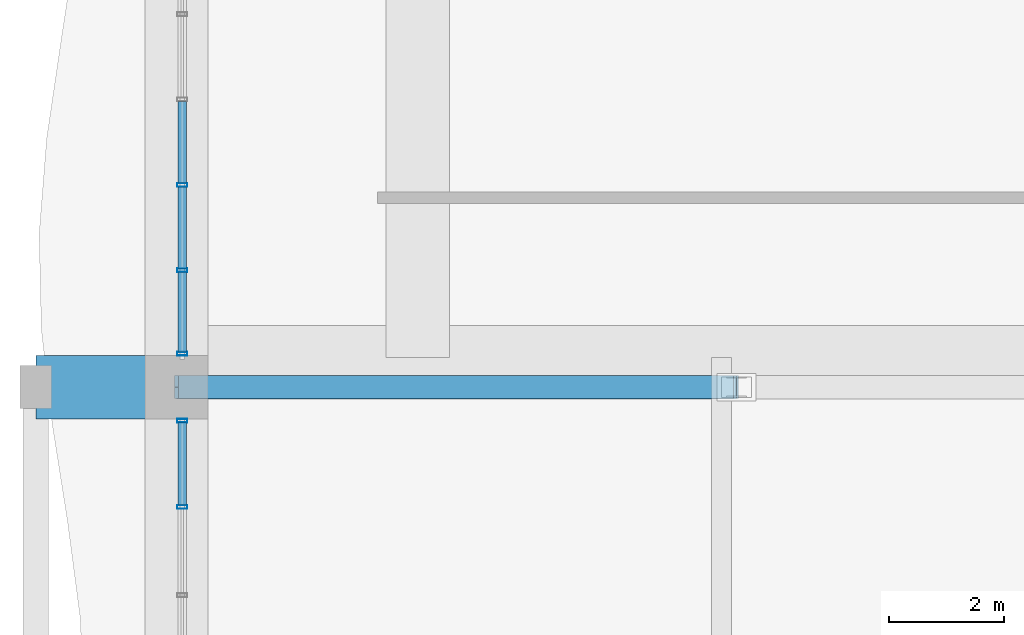
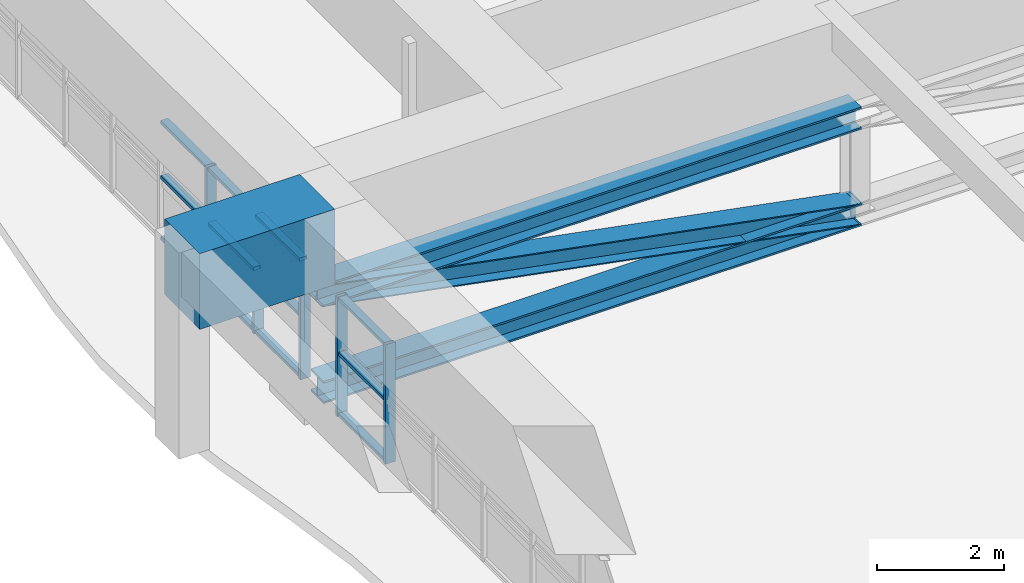
# One storey, part 19 of 35: 20 members, 1 beam, 2 elements without a shape of their own.
"""IFC4 building model written with IfcOpenShell, lengths in metres."""

import ifcopenshell
import ifcopenshell.guid

model = None  # the IFC model being written
_history = None  # IfcOwnerHistory: only IFC2X3 demands one
_inside = {}  # id of a spatial element -> (the spatial element, [elements in it])
_under = {}  # id of a project, library or spatial element -> (it, [spatial elements below it])
_declared = {}  # id of a project -> (the project, [libraries it declares])
_typed = {}  # id of a type object -> (the type object, [elements of that type])
_made_of = {}  # id of a material, layer set ... -> (it, [elements and type objects made of it])


def new_model(schema):
    """Start an empty IFC model of exactly this schema.

    Asked for "IFC4X3", IfcOpenShell would pick the latest addendum, in which some entities
    have other attributes; the version numbers below select the first issue.
    IFC2X3 requires an IfcOwnerHistory on every rooted entity: one is made here for all.
    """
    global model, _history
    if schema == "IFC4X3":
        model = ifcopenshell.file(schema_version=(4, 3, 0, 0))
    else:
        model = ifcopenshell.file(schema=schema)
    _inside.clear()
    _under.clear()
    _declared.clear()
    _typed.clear()
    _made_of.clear()
    _history = None
    if model.schema == "IFC2X3":
        org = make("IfcOrganization", Name="unknown")
        user = make(
            "IfcPersonAndOrganization",
            ThePerson=make("IfcPerson", FamilyName="unknown"),
            TheOrganization=org,
        )
        app = make(
            "IfcApplication",
            ApplicationDeveloper=org,
            Version="unknown",
            ApplicationFullName="unknown",
            ApplicationIdentifier="unknown",
        )
        _history = make(
            "IfcOwnerHistory",
            OwningUser=user,
            OwningApplication=app,
            ChangeAction="ADDED",
            CreationDate=0,
        )
    return model


def make(cls, **values):
    """One entity of the class cls with the attributes given. An attribute that is None is left unset."""
    return model.create_entity(
        cls, **{name: value for name, value in values.items() if value is not None}
    )


def rooted(cls, **values):
    """An entity with a GlobalId (a new one), such as an element, a storey or a relation."""
    return make(cls, GlobalId=ifcopenshell.guid.new(), OwnerHistory=_history, **values)


def si_unit(unit_type, name, prefix=None):
    """IfcSIUnit, for example si_unit("LENGTHUNIT", "METRE", prefix="MILLI")."""
    return make("IfcSIUnit", UnitType=unit_type, Prefix=prefix, Name=name)


def assignment(units):
    """IfcUnitAssignment: the units of a project."""
    return None if units is None else make("IfcUnitAssignment", Units=units)


def point(xyz):
    """IfcCartesianPoint."""
    return None if xyz is None else make("IfcCartesianPoint", Coordinates=xyz)


def direction(xyz):
    """IfcDirection."""
    return None if xyz is None else make("IfcDirection", DirectionRatios=xyz)


def frame(location, z_axis=None, x_axis=None):
    """IfcAxis2Placement3D, a coordinate frame: its origin and axes. An axis left out is left unset."""
    return make(
        "IfcAxis2Placement3D",
        Location=point(location),
        Axis=direction(z_axis),
        RefDirection=direction(x_axis),
    )


def frame_2d(location, x_axis=None):
    """IfcAxis2Placement2D, a coordinate frame in the plane: its origin and x axis."""
    return make(
        "IfcAxis2Placement2D", Location=point(location), RefDirection=direction(x_axis)
    )


def origin():
    """The frame at (0, 0, 0) with its axes left unset."""
    return frame((0.0, 0.0, 0.0))


def origin_2d():
    """The frame at (0, 0) in the plane with its x axis left unset."""
    return frame_2d((0.0, 0.0))


def place(relative_to, where):
    """IfcLocalPlacement: puts the frame where relative to a parent placement (None: the world)."""
    return make(
        "IfcLocalPlacement", PlacementRelTo=relative_to, RelativePlacement=where
    )


def context(
    kind, dimensions, precision=None, world=None, true_north=None, identifier=None
):
    """IfcGeometricRepresentationContext, for example the 3D "Model" context."""
    return make(
        "IfcGeometricRepresentationContext",
        ContextIdentifier=identifier,
        ContextType=kind,
        CoordinateSpaceDimension=dimensions,
        Precision=precision,
        WorldCoordinateSystem=world,
        TrueNorth=true_north,
    )


def subcontext(parent, identifier, kind, view, scale=None):
    """IfcGeometricRepresentationSubContext, for example "Body" below "Model"."""
    return make(
        "IfcGeometricRepresentationSubContext",
        ContextIdentifier=identifier,
        ContextType=kind,
        ParentContext=parent,
        TargetScale=scale,
        TargetView=view,
    )


def project(units=None, contexts=None):
    """IfcProject with its units and contexts."""
    return rooted(
        "IfcProject",
        Name="project",
        RepresentationContexts=contexts,
        UnitsInContext=assignment(units),
    )


def spatial(cls, under=None, at=None, **own):
    """A site, building, storey or space (cls), placed at a placement, below another one or the project."""
    s = rooted(cls, ObjectPlacement=at, **own)
    if under is not None:
        _under.setdefault(under.id(), (under, []))[1].append(s)
    return s


def profile(cls, at=None, kind="AREA", **sizes):
    """A parametric profile (cls). Its sizes go by their IFC names, for example OverallWidth=200.0."""
    return make(cls, ProfileType=kind, Position=at, **sizes)


def rectangle(**sizes):
    """IfcRectangleProfileDef."""
    return profile("IfcRectangleProfileDef", **sizes)


def hollow_rectangle(**sizes):
    """IfcRectangleHollowProfileDef."""
    return profile("IfcRectangleHollowProfileDef", **sizes)


def i_section(**sizes):
    """IfcIShapeProfileDef."""
    return profile("IfcIShapeProfileDef", **sizes)


def extrude(swept, where, along, depth):
    """IfcExtrudedAreaSolid: the profile swept, set in the frame where, extruded along a direction by depth."""
    return make(
        "IfcExtrudedAreaSolid",
        SweptArea=swept,
        Position=where,
        ExtrudedDirection=direction(along),
        Depth=depth,
    )


def shape(context_of_items, identifier, shape_type, items):
    """IfcShapeRepresentation: the items that make up one representation, for example the "Body"."""
    return make(
        "IfcShapeRepresentation",
        ContextOfItems=context_of_items,
        RepresentationIdentifier=identifier,
        RepresentationType=shape_type,
        Items=items,
    )


def source(mapping_origin, context_of_items, identifier, shape_type, items):
    """IfcRepresentationMap: a shape defined once, which mapped items show again and again."""
    return make(
        "IfcRepresentationMap",
        MappingOrigin=mapping_origin,
        MappedRepresentation=shape(context_of_items, identifier, shape_type, items),
    )


def transform(
    local_origin,
    x_axis=None,
    y_axis=None,
    z_axis=None,
    scale=None,
    scale2=None,
    scale3=None,
    uniform=True,
):
    """IfcCartesianTransformationOperator3D, or its non-uniform kind. x_axis, y_axis, z_axis: its Axis1, 2, 3."""
    if uniform:
        return make(
            "IfcCartesianTransformationOperator3D",
            Axis1=direction(x_axis),
            Axis2=direction(y_axis),
            LocalOrigin=point(local_origin),
            Scale=scale,
            Axis3=direction(z_axis),
        )
    return make(
        "IfcCartesianTransformationOperator3DnonUniform",
        Axis1=direction(x_axis),
        Axis2=direction(y_axis),
        LocalOrigin=point(local_origin),
        Scale=scale,
        Axis3=direction(z_axis),
        Scale2=scale2,
        Scale3=scale3,
    )


def mapped(mapping_source, mapping_target):
    """IfcMappedItem: shows the shape of a source again, moved by a transform."""
    return make(
        "IfcMappedItem", MappingSource=mapping_source, MappingTarget=mapping_target
    )


def material(Name=None, Category=None):
    """IfcMaterial."""
    return make("IfcMaterial", Name=Name, Category=Category)


def layer(
    of_material, thickness, ventilated=None, Name=None, Category=None, Priority=None
):
    """IfcMaterialLayer: one layer of a wall or slab, of a material (None: an air gap)."""
    return make(
        "IfcMaterialLayer",
        Material=of_material,
        LayerThickness=thickness,
        IsVentilated=ventilated,
        Name=Name,
        Category=Category,
        Priority=Priority,
    )


def layer_set(layers, Name=None):
    """IfcMaterialLayerSet."""
    return make("IfcMaterialLayerSet", MaterialLayers=layers, LayerSetName=Name)


def material_profile(
    of_material, cross_section, Name=None, Category=None, Priority=None
):
    """IfcMaterialProfile: a cross section and its material."""
    return make(
        "IfcMaterialProfile",
        Name=Name,
        Material=of_material,
        Profile=cross_section,
        Priority=Priority,
        Category=Category,
    )


def profile_set(profiles, Name=None, composite=None):
    """IfcMaterialProfileSet."""
    return make(
        "IfcMaterialProfileSet",
        Name=Name,
        MaterialProfiles=profiles,
        CompositeProfile=composite,
    )


def made_of(thing, what):
    """Note that an element or type object is made of a material, layer set ...; save() writes the relation."""
    if what is not None:
        _made_of.setdefault(what.id(), (what, []))[1].append(thing)
    return thing


def type_object(cls, material=None, **own):
    """A type object (cls), such as IfcWallType, which elements share."""
    return made_of(rooted(cls, **own), material)


def element(
    cls,
    number,
    at=None,
    inside=None,
    cuts=None,
    type_object=None,
    material=None,
    context=None,
    identifier="Body",
    shape_type=None,
    held_by="IfcProductDefinitionShape",
    body=None,
    shapes=None,
    **own,
):
    """One element of the class cls, such as IfcWall. Its Tag is "e" and its number.

    at: its placement. inside: the storey or other place that contains it. cuts: it is an
    opening in that element (IfcRelVoidsElement). A single representation is given by context,
    identifier, shape_type and body (its items); several are given by shapes. held_by: the class
    of the entity that holds the representations. save() writes the other relations.
    """
    e = rooted(cls, Tag="e%d" % number, ObjectPlacement=at, **own)
    if body is not None:
        shapes = [shape(context, identifier, shape_type, body)]
    if shapes is not None:
        e.Representation = make(held_by, Representations=shapes)
    if inside is not None:
        _inside.setdefault(inside.id(), (inside, []))[1].append(e)
    if cuts is not None:
        rooted(
            "IfcRelVoidsElement", RelatingBuildingElement=cuts, RelatedOpeningElement=e
        )
    if type_object is not None:
        _typed.setdefault(type_object.id(), (type_object, []))[1].append(e)
    return made_of(e, material)


def aggregate(whole, parts):
    """IfcRelAggregates: a whole, such as a stair, and the parts it consists of."""
    return rooted("IfcRelAggregates", RelatingObject=whole, RelatedObjects=parts)


def save(model, path):
    """Write the relations noted so far, then the file.

    IfcRelAggregates (storeys below a building ...), IfcRelContainedInSpatialStructure (elements
    in a storey), IfcRelDefinesByType, IfcRelAssociatesMaterial and IfcRelDeclares: one each for
    every whole, place, type object, material and project.
    """
    for whole, parts in _under.values():
        aggregate(whole, parts)
    for where, things in _inside.values():
        rooted(
            "IfcRelContainedInSpatialStructure",
            RelatedElements=things,
            RelatingStructure=where,
        )
    for kind, things in _typed.values():
        rooted("IfcRelDefinesByType", RelatedObjects=things, RelatingType=kind)
    for what, things in _made_of.values():
        rooted("IfcRelAssociatesMaterial", RelatedObjects=things, RelatingMaterial=what)
    for by, libraries in _declared.values():
        rooted("IfcRelDeclares", RelatingContext=by, RelatedDefinitions=libraries)
    model.write(path)


model = new_model("IFC4")

# Units and contexts
model_context = context("Model", 3, precision=1e-05, world=origin(), true_north=direction((0.0, 1.0)))
body_context = subcontext(model_context, "Body", "Model", "MODEL_VIEW")
ifc_project = project(units=[si_unit("LENGTHUNIT", "METRE"), si_unit("AREAUNIT", "SQUARE_METRE"), si_unit("VOLUMEUNIT", "CUBIC_METRE"), si_unit("PLANEANGLEUNIT", "RADIAN"), si_unit("MASSUNIT", "GRAM", prefix="KILO")], contexts=[model_context])

# Site, building, storey
site_placement = place(None, origin())
site = spatial("IfcSite", under=ifc_project, at=site_placement, CompositionType="ELEMENT")
building_placement = place(site_placement, origin())
building = spatial("IfcBuilding", under=site, at=building_placement, Name="Saelheon Loggia Tower", CompositionType="ELEMENT")
storey_placement = place(building_placement, frame((0.0, 0.0, 70.39990234375)))
storey = spatial("IfcBuildingStorey", under=building, at=storey_placement, Name="L22", CompositionType="ELEMENT", Elevation=70.39990234375)

# Beam
ifc_material_1 = material(Name="Concrete C50/60", Category="concrete")
ifc_material_profile_1 = material_profile(ifc_material_1, rectangle(XDim=1.10009765625, YDim=1.449951171875, at=origin_2d()), Name="RC-1100x1450")
ifc_profile_set_1 = profile_set([ifc_material_profile_1], Name="Concrete C50/60")
beam_type = type_object("IfcBeamType", Name="Beam_PerimTransfer_RC1100x1450", PredefinedType="BEAM", material=ifc_profile_set_1)
shared_shape_1 = source(origin(), body_context, "Body", "SweptSolid", [
    extrude(rectangle(XDim=1.10009765625, YDim=1.449951171875, at=origin_2d()), origin(), (0.0, 0.0, 1.0), 2.449951171875),
])
beam_placement = place(storey_placement, frame((12.0, 36.0, 3.22509765625), z_axis=(-1.0, 0.0, 0.0), x_axis=(0.0, -1.0, 0.0)))
element("IfcBeam", 1, at=beam_placement, inside=storey, type_object=beam_type, Name="L22 Loggia Frame Tie Beam LP-W2", PredefinedType="BEAM", context=body_context, shape_type="MappedRepresentation", body=[
    mapped(shared_shape_1, transform((0.0, 0.0, 0.0), scale=1.0)),
])

# Members
ifc_material_2 = material(Name="Steel SM355", Category="steel")
ifc_material_profile_2 = material_profile(ifc_material_2, i_section(OverallWidth=0.406982421875, OverallDepth=0.427978515625, WebThickness=0.02001953125, FlangeThickness=0.034912109375, at=origin_2d()), Name="H-428x407x20x35")
ifc_profile_set_2 = profile_set([ifc_material_profile_2], Name="Steel SM355")
member_type_1 = type_object("IfcMemberType", Name="Outrigger_Chord_H428", PredefinedType="CHORD", material=ifc_profile_set_2)
shared_shape_2 = source(origin(), body_context, "Body", "SweptSolid", [
    extrude(i_section(OverallWidth=0.406982421875, OverallDepth=0.427978515625, WebThickness=0.02001953125, FlangeThickness=0.034912109375, at=origin_2d()), origin(), (0.0, 0.0, 1.0), 9.75),
])
for number, where, z_axis, x_axis, name in (
    (2, (21.75, 36.0, 0.22021484375), (-1.0, 0.0, 0.0), (0.0, -1.0, 0.0), "L22 Outrigger Bottom Chord NW-W 2"),
    (3, (21.75, 36.0, 2.070068359375), (-1.0, 0.0, 0.0), (0.0, -1.0, 0.0), "L22 Outrigger Top Chord NW-W 2"),
):
    element("IfcMember", number, at=place(storey_placement, frame(where, z_axis=z_axis, x_axis=x_axis)), inside=storey, type_object=member_type_1, Name=name, PredefinedType="CHORD", context=body_context, shape_type="MappedRepresentation", body=[
        mapped(shared_shape_2, transform((0.0, 0.0, 0.0), scale=1.0)),
    ])
ifc_material_profile_3 = material_profile(ifc_material_2, i_section(OverallWidth=0.39990234375, OverallDepth=0.39990234375, WebThickness=0.012939453125, FlangeThickness=0.02099609375, at=origin_2d()), Name="H-400x400x13x21")
ifc_profile_set_3 = profile_set([ifc_material_profile_3], Name="Steel SM355")
member_type_2 = type_object("IfcMemberType", Name="Outrigger_Brace_H400", PredefinedType="BRACE", material=ifc_profile_set_3)
shared_shape_3 = source(origin(), body_context, "Body", "SweptSolid", [
    extrude(i_section(OverallWidth=0.39990234375, OverallDepth=0.39990234375, WebThickness=0.012939453125, FlangeThickness=0.02099609375, at=origin_2d()), origin(), (0.0, 0.0, 1.0), 9.923828125),
])
member_1_placement = place(storey_placement, frame((21.75, 36.0, 0.22021484375), z_axis=(-0.9824733212, 0.0, 0.186403254075), x_axis=(0.0, -1.0, 0.0)))
element("IfcMember", 4, at=member_1_placement, inside=storey, type_object=member_type_2, Name="L22 Outrigger Diagonal NW-W 2", PredefinedType="BRACE", context=body_context, shape_type="MappedRepresentation", body=[
    mapped(shared_shape_3, transform((0.0, 0.0, 0.0), scale=1.0)),
])

# Curtain wall, members
ifc_material_3 = material(Name="Anodised Aluminium Acoustic Louvre Curtain Wall", Category="aluminium")
ifc_layer = layer(ifc_material_3, 0.179931640625)
ifc_layer_set = layer_set([ifc_layer], Name="Anodised Aluminium Acoustic Louvre Curtain Wall")
curtain_wall_type = type_object("IfcCurtainWallType", Name="CW_RefugeAcoustic", PredefinedType="NOTDEFINED", material=ifc_layer_set)
curtain_wall_1_placement = place(storey_placement, origin())
curtain_wall_1 = element("IfcCurtainWall", 5, at=curtain_wall_1_placement, inside=storey, type_object=curtain_wall_type, Name="L22 W Refuge Acoustic Curtain Wall 2", PredefinedType="NOTDEFINED")
ifc_material_4 = material(Name="Anodised Aluminium 6063-T6", Category="aluminium")
ifc_material_profile_4 = material_profile(ifc_material_4, hollow_rectangle(XDim=0.06494140625, YDim=0.179931640625, WallThickness=0.00390625, at=origin_2d()), Name="RHS-180x65x4")
ifc_profile_set_4 = profile_set([ifc_material_profile_4], Name="Anodised Aluminium 6063-T6")
member_type_3 = type_object("IfcMemberType", Name="CW_RefugeAcoustic_Mullion", PredefinedType="MULLION", material=ifc_profile_set_4)
shared_shape_4 = source(origin(), body_context, "Body", "SweptSolid", [
    extrude(hollow_rectangle(XDim=0.06494140625, YDim=0.179931640625, WallThickness=0.00390625, at=origin_2d()), origin(), (0.0, 0.0, 1.0), 2.2900390625),
])
member_2_placement = place(storey_placement, frame((12.10009765625, 33.91357421875, 0.0), z_axis=(0.0, 0.0, 1.0), x_axis=(0.0, 1.0, 0.0)))
member_2 = element("IfcMember", 6, at=member_2_placement, type_object=member_type_3, Name="CW5 mullion 11", PredefinedType="MULLION", context=body_context, shape_type="MappedRepresentation", body=[
    mapped(shared_shape_4, transform((0.0, 0.0, 0.0), scale=1.0)),
])
member_3_placement = place(storey_placement, frame((12.10009765625, 35.41748046875, 0.0), z_axis=(0.0, 0.0, 1.0), x_axis=(0.0, 1.0, 0.0)))
member_3 = element("IfcMember", 7, at=member_3_placement, type_object=member_type_3, Name="CW5 mullion 12", PredefinedType="MULLION", context=body_context, shape_type="MappedRepresentation", body=[
    mapped(shared_shape_4, transform((0.0, 0.0, 0.0), scale=1.0)),
])

curtain_wall_2_placement = place(storey_placement, origin())
curtain_wall_2 = element("IfcCurtainWall", 8, at=curtain_wall_2_placement, inside=storey, type_object=curtain_wall_type, Name="L22 W Refuge Acoustic Curtain Wall 3", PredefinedType="NOTDEFINED")
member_4_placement = place(storey_placement, frame((12.10009765625, 36.58251953125, 0.0), z_axis=(0.0, 0.0, 1.0), x_axis=(0.0, 1.0, 0.0)))
member_4 = element("IfcMember", 9, at=member_4_placement, type_object=member_type_3, Name="CW5 mullion 1", PredefinedType="MULLION", context=body_context, shape_type="MappedRepresentation", body=[
    mapped(shared_shape_4, transform((0.0, 0.0, 0.0), scale=1.0)),
])
member_5_placement = place(storey_placement, frame((12.10009765625, 38.03564453125, 0.0), z_axis=(0.0, 0.0, 1.0), x_axis=(0.0, 1.0, 0.0)))
member_5 = element("IfcMember", 10, at=member_5_placement, type_object=member_type_3, Name="CW5 mullion 2", PredefinedType="MULLION", context=body_context, shape_type="MappedRepresentation", body=[
    mapped(shared_shape_4, transform((0.0, 0.0, 0.0), scale=1.0)),
])
member_6_placement = place(storey_placement, frame((12.10009765625, 39.521484375, 0.0), z_axis=(0.0, 0.0, 1.0), x_axis=(0.0, 1.0, 0.0)))
member_6 = element("IfcMember", 11, at=member_6_placement, type_object=member_type_3, Name="CW5 mullion 3", PredefinedType="MULLION", context=body_context, shape_type="MappedRepresentation", body=[
    mapped(shared_shape_4, transform((0.0, 0.0, 0.0), scale=1.0)),
])
ifc_material_profile_5 = material_profile(ifc_material_4, hollow_rectangle(XDim=0.06494140625, YDim=0.139892578125, WallThickness=0.00390625, at=origin_2d()), Name="RHS-140x65x4")
ifc_profile_set_5 = profile_set([ifc_material_profile_5], Name="Anodised Aluminium 6063-T6")
member_type_4 = type_object("IfcMemberType", Name="CW_RefugeAcoustic_Transom", PredefinedType="USERDEFINED", material=ifc_profile_set_5)
shared_shape_5 = source(origin(), body_context, "Body", "SweptSolid", [
    extrude(hollow_rectangle(XDim=0.06494140625, YDim=0.139892578125, WallThickness=0.00390625, at=origin_2d()), origin(), (0.0, 0.0, 1.0), 1.38818359375),
])
member_7_placement = place(storey_placement, frame((12.10009765625, 36.614990234375, 0.03271484375), z_axis=(0.0, 1.0, 0.0), x_axis=(0.0, 0.0, 1.0)))
member_7 = element("IfcMember", 12, at=member_7_placement, type_object=member_type_4, Name="CW5 transom 1.1", ObjectType="TRANSOM", PredefinedType="USERDEFINED", context=body_context, shape_type="MappedRepresentation", body=[
    mapped(shared_shape_5, transform((0.0, 0.0, 0.0), scale=1.0)),
])
member_8_placement = place(storey_placement, frame((12.10009765625, 36.614990234375, 1.2001953125), z_axis=(0.0, 1.0, 0.0), x_axis=(0.0, 0.0, 1.0)))
member_8 = element("IfcMember", 13, at=member_8_placement, type_object=member_type_4, Name="CW5 transom 1.2", ObjectType="TRANSOM", PredefinedType="USERDEFINED", context=body_context, shape_type="MappedRepresentation", body=[
    mapped(shared_shape_5, transform((0.0, 0.0, 0.0), scale=1.0)),
])
member_9_placement = place(storey_placement, frame((12.10009765625, 36.614990234375, 2.257568359375), z_axis=(0.0, 1.0, 0.0), x_axis=(0.0, 0.0, 1.0)))
member_9 = element("IfcMember", 14, at=member_9_placement, type_object=member_type_4, Name="CW5 transom 1.3", ObjectType="TRANSOM", PredefinedType="USERDEFINED", context=body_context, shape_type="MappedRepresentation", body=[
    mapped(shared_shape_5, transform((0.0, 0.0, 0.0), scale=1.0)),
])
shared_shape_6 = source(origin(), body_context, "Body", "SweptSolid", [
    extrude(hollow_rectangle(XDim=0.06494140625, YDim=0.139892578125, WallThickness=0.00390625, at=origin_2d()), origin(), (0.0, 0.0, 1.0), 1.4208984375),
])
member_10_placement = place(storey_placement, frame((12.10009765625, 38.068115234375, 0.03271484375), z_axis=(0.0, 1.0, 0.0), x_axis=(0.0, 0.0, 1.0)))
member_10 = element("IfcMember", 15, at=member_10_placement, type_object=member_type_4, Name="CW5 transom 2.1", ObjectType="TRANSOM", PredefinedType="USERDEFINED", context=body_context, shape_type="MappedRepresentation", body=[
    mapped(shared_shape_6, transform((0.0, 0.0, 0.0), scale=1.0)),
])
member_11_placement = place(storey_placement, frame((12.10009765625, 38.068115234375, 1.2001953125), z_axis=(0.0, 1.0, 0.0), x_axis=(0.0, 0.0, 1.0)))
member_11 = element("IfcMember", 16, at=member_11_placement, type_object=member_type_4, Name="CW5 transom 2.2", ObjectType="TRANSOM", PredefinedType="USERDEFINED", context=body_context, shape_type="MappedRepresentation", body=[
    mapped(shared_shape_6, transform((0.0, 0.0, 0.0), scale=1.0)),
])
member_12_placement = place(storey_placement, frame((12.10009765625, 38.068115234375, 2.257568359375), z_axis=(0.0, 1.0, 0.0), x_axis=(0.0, 0.0, 1.0)))
member_12 = element("IfcMember", 17, at=member_12_placement, type_object=member_type_4, Name="CW5 transom 2.3", ObjectType="TRANSOM", PredefinedType="USERDEFINED", context=body_context, shape_type="MappedRepresentation", body=[
    mapped(shared_shape_6, transform((0.0, 0.0, 0.0), scale=1.0)),
])
shared_shape_7 = source(origin(), body_context, "Body", "SweptSolid", [
    extrude(hollow_rectangle(XDim=0.06494140625, YDim=0.139892578125, WallThickness=0.00390625, at=origin_2d()), origin(), (0.0, 0.0, 1.0), 1.420654296875),
])
member_13_placement = place(storey_placement, frame((12.10009765625, 39.553955078125, 0.03271484375), z_axis=(0.0, 1.0, 0.0), x_axis=(0.0, 0.0, 1.0)))
member_13 = element("IfcMember", 18, at=member_13_placement, type_object=member_type_4, Name="CW5 transom 3.1", ObjectType="TRANSOM", PredefinedType="USERDEFINED", context=body_context, shape_type="MappedRepresentation", body=[
    mapped(shared_shape_7, transform((0.0, 0.0, 0.0), scale=1.0)),
])
member_14_placement = place(storey_placement, frame((12.10009765625, 39.553955078125, 1.2001953125), z_axis=(0.0, 1.0, 0.0), x_axis=(0.0, 0.0, 1.0)))
member_14 = element("IfcMember", 19, at=member_14_placement, type_object=member_type_4, Name="CW5 transom 3.2", ObjectType="TRANSOM", PredefinedType="USERDEFINED", context=body_context, shape_type="MappedRepresentation", body=[
    mapped(shared_shape_7, transform((0.0, 0.0, 0.0), scale=1.0)),
])
member_15_placement = place(storey_placement, frame((12.10009765625, 39.553955078125, 2.257568359375), z_axis=(0.0, 1.0, 0.0), x_axis=(0.0, 0.0, 1.0)))
member_15 = element("IfcMember", 20, at=member_15_placement, type_object=member_type_4, Name="CW5 transom 3.3", ObjectType="TRANSOM", PredefinedType="USERDEFINED", context=body_context, shape_type="MappedRepresentation", body=[
    mapped(shared_shape_7, transform((0.0, 0.0, 0.0), scale=1.0)),
])
aggregate(curtain_wall_2, [member_4, member_5, member_6, member_7, member_8, member_9, member_10, member_11, member_12, member_13, member_14, member_15])

# Member
shared_shape_8 = source(origin(), body_context, "Body", "SweptSolid", [
    extrude(hollow_rectangle(XDim=0.06494140625, YDim=0.139892578125, WallThickness=0.00390625, at=origin_2d()), origin(), (0.0, 0.0, 1.0), 1.43896484375),
])
member_16_placement = place(storey_placement, frame((12.10009765625, 33.946044921875, 0.03271484375), z_axis=(0.0, 1.0, 0.0), x_axis=(0.0, 0.0, 1.0)))
member_16 = element("IfcMember", 21, at=member_16_placement, type_object=member_type_4, Name="CW5 transom 11.1", ObjectType="TRANSOM", PredefinedType="USERDEFINED", context=body_context, shape_type="MappedRepresentation", body=[
    mapped(shared_shape_8, transform((0.0, 0.0, 0.0), scale=1.0)),
])

member_17_placement = place(storey_placement, frame((12.10009765625, 33.946044921875, 1.2001953125), z_axis=(0.0, 1.0, 0.0), x_axis=(0.0, 0.0, 1.0)))
member_17 = element("IfcMember", 22, at=member_17_placement, type_object=member_type_4, Name="CW5 transom 11.2", ObjectType="TRANSOM", PredefinedType="USERDEFINED", context=body_context, shape_type="MappedRepresentation", body=[
    mapped(shared_shape_8, transform((0.0, 0.0, 0.0), scale=1.0)),
])

member_18_placement = place(storey_placement, frame((12.10009765625, 33.946044921875, 2.257568359375), z_axis=(0.0, 1.0, 0.0), x_axis=(0.0, 0.0, 1.0)))
member_18 = element("IfcMember", 23, at=member_18_placement, type_object=member_type_4, Name="CW5 transom 11.3", ObjectType="TRANSOM", PredefinedType="USERDEFINED", context=body_context, shape_type="MappedRepresentation", body=[
    mapped(shared_shape_8, transform((0.0, 0.0, 0.0), scale=1.0)),
])

aggregate(curtain_wall_1, [member_2, member_3, member_16, member_17, member_18])

save(model, "model.ifc")
